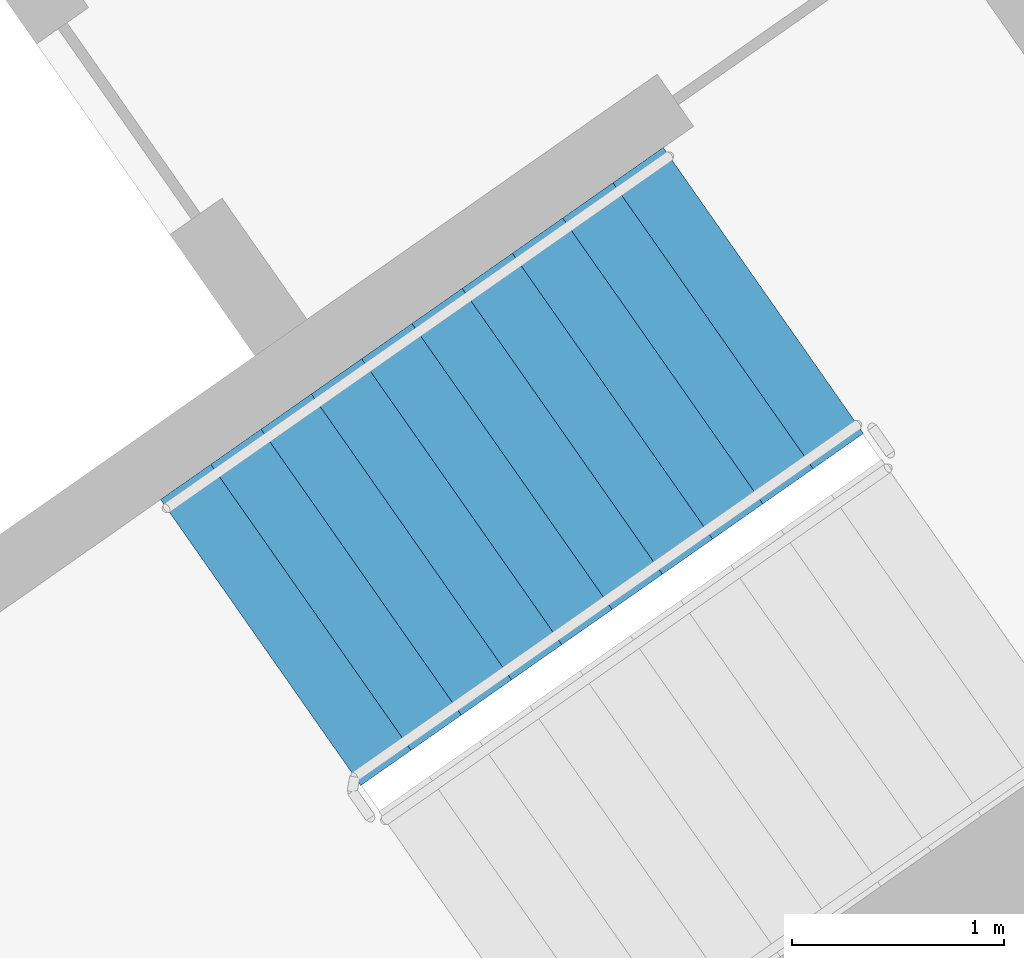
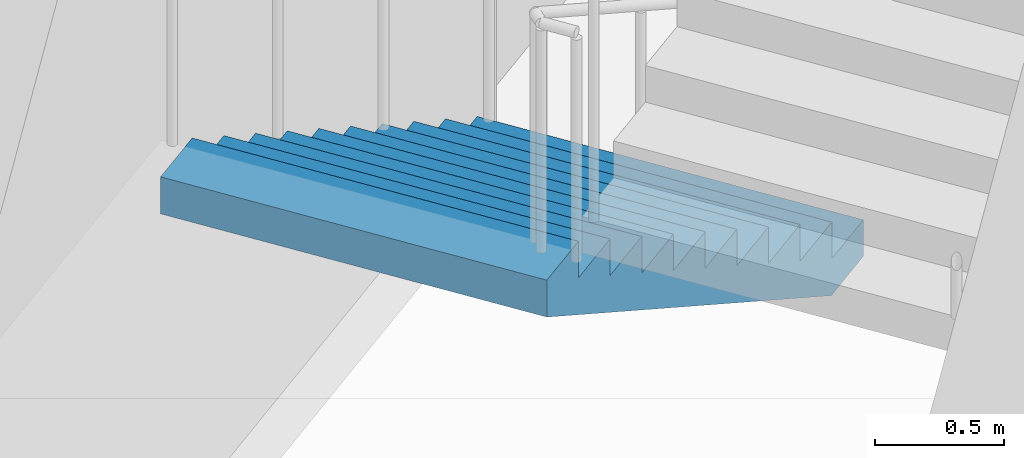
# One storey, part 15 of 28: 1 stair flight, 1 element without a shape of its own.
"""IFC4 building model written with IfcOpenShell, lengths in metres."""

from ifc_helpers import new_model, si_unit, direction, frame, origin, place, context, subcontext, project, spatial, faceted_brep, material, type_object, element, aggregate, save


model = new_model("IFC4")

# Units and contexts
model_context = context("Model", 3, precision=1e-05, world=origin(), true_north=direction((0.0, 1.0)))
body_context = subcontext(model_context, "Body", "Model", "MODEL_VIEW")
ifc_project = project(units=[si_unit("LENGTHUNIT", "METRE"), si_unit("AREAUNIT", "SQUARE_METRE"), si_unit("VOLUMEUNIT", "CUBIC_METRE"), si_unit("PLANEANGLEUNIT", "RADIAN"), si_unit("MASSUNIT", "GRAM", prefix="KILO")], contexts=[model_context])

# Site, building, storey
site_placement = place(None, origin())
site = spatial("IfcSite", under=ifc_project, at=site_placement, CompositionType="ELEMENT")
building_placement = place(site_placement, origin())
building = spatial("IfcBuilding", under=site, at=building_placement, Name="Qamariyya Broadcast Tower", CompositionType="ELEMENT")
storey_placement = place(building_placement, frame((0.0, 0.0, 140.5)))
storey = spatial("IfcBuildingStorey", under=building, at=storey_placement, Name="L32", CompositionType="ELEMENT", Elevation=140.5)

# Stair, stair flight
ifc_material = material(Name="Concrete C50/60", Category="concrete")
stair_type = type_object("IfcStairType", Name="Exit stair 22 risers of 173 mm", PredefinedType="HALF_TURN_STAIR", material=ifc_material)
stair_placement = place(storey_placement, origin())
stair = element("IfcStair", 1, at=stair_placement, inside=storey, type_object=stair_type, Name="L32 Stair E1", PredefinedType="HALF_TURN_STAIR")
stair_flight_type = type_object("IfcStairFlightType", Name="Exit stair flight 11 risers of 173 mm", PredefinedType="STRAIGHT", material=ifc_material)
stair_flight_placement = place(storey_placement, frame((46.036376953125, -55.508056640625, 0.0), z_axis=(0.0, 0.0, 1.0), x_axis=(-0.819152044289, -0.573576436351, 0.0)))
stair_flight = element("IfcStairFlight", 2, at=stair_flight_placement, type_object=stair_flight_type, Name="ST-E1 flight 1", NumberOfRisers=11, NumberOfTreads=10, PredefinedType="STRAIGHT", RiserHeight=0.172727273, TreadLength=0.29, context=body_context, shape_type="Brep", body=[
    faceted_brep([(0.0, 0.824951171875, 0.0), (0.0, 0.824951171875, 0.172607421875), (0.2900390625, 0.824951171875, 0.172607421875), (0.2900390625, 0.824951171875, 0.345458984375), (0.580078125, 0.824951171875, 0.345458984375), (0.580078125, 0.824951171875, 0.51806640625), (0.8701171875, 0.824951171875, 0.51806640625), (0.8701171875, 0.824951171875, 0.69091796875), (1.159912109375, 0.824951171875, 0.69091796875), (1.159912109375, 0.824951171875, 0.863525390625), (1.449951171875, 0.824951171875, 0.863525390625), (1.449951171875, 0.824951171875, 1.036376953125), (1.739990234375, 0.824951171875, 1.036376953125), (1.739990234375, 0.824951171875, 1.208984375), (2.030029296875, 0.824951171875, 1.208984375), (2.030029296875, 0.824951171875, 1.3818359375), (2.320068359375, 0.824951171875, 1.3818359375), (2.320068359375, 0.824951171875, 1.554443359375), (2.610107421875, 0.824951171875, 1.554443359375), (2.610107421875, 0.824951171875, 1.727294921875), (2.89990234375, 0.824951171875, 1.727294921875), (2.89990234375, 0.824951171875, 1.552734375), (0.29296875, 0.824951171875, 0.0), (0.29296875, -0.824951171875, 0.0), (2.89990234375, -0.824951171875, 1.552734375), (2.89990234375, -0.824951171875, 1.727294921875), (2.610107421875, -0.824951171875, 1.727294921875), (2.610107421875, -0.824951171875, 1.554443359375), (2.320068359375, -0.824951171875, 1.554443359375), (2.320068359375, -0.824951171875, 1.3818359375), (2.030029296875, -0.824951171875, 1.3818359375), (2.030029296875, -0.824951171875, 1.208984375), (1.739990234375, -0.824951171875, 1.208984375), (1.739990234375, -0.824951171875, 1.036376953125), (1.449951171875, -0.824951171875, 1.036376953125), (1.449951171875, -0.824951171875, 0.863525390625), (1.159912109375, -0.824951171875, 0.863525390625), (1.159912109375, -0.824951171875, 0.69091796875), (0.8701171875, -0.824951171875, 0.69091796875), (0.8701171875, -0.824951171875, 0.51806640625), (0.580078125, -0.824951171875, 0.51806640625), (0.580078125, -0.824951171875, 0.345458984375), (0.2900390625, -0.824951171875, 0.345458984375), (0.2900390625, -0.824951171875, 0.172607421875), (0.0, -0.824951171875, 0.172607421875), (0.0, -0.824951171875, 0.0), (0.0, 0.10009765625, 0.0), (0.0, 0.086669921875, 0.0), (0.0, 0.0732421875, 0.0), (0.0, 0.06005859375, 0.0), (0.0, 0.046630859375, 0.0), (0.0, 0.033447265625, 0.0), (0.0, 0.02001953125, 0.0), (0.0, 0.006591796875, 0.0), (0.0, -0.006591796875, 0.0), (0.0, -0.02001953125, 0.0), (0.0, -0.033447265625, 0.0), (0.0, -0.046630859375, 0.0), (0.0, -0.06005859375, 0.0), (0.0, -0.0732421875, 0.0), (0.0, -0.086669921875, 0.0), (0.0, -0.10009765625, 0.0), (0.0, -0.10009765625, 0.172607421875), (0.0, -0.086669921875, 0.172607421875), (0.0, -0.0732421875, 0.172607421875), (0.0, -0.06005859375, 0.172607421875), (0.0, -0.046630859375, 0.172607421875), (0.0, -0.033447265625, 0.172607421875), (0.0, -0.02001953125, 0.172607421875), (0.0, -0.006591796875, 0.172607421875), (0.0, 0.006591796875, 0.172607421875), (0.0, 0.02001953125, 0.172607421875), (0.0, 0.033447265625, 0.172607421875), (0.0, 0.046630859375, 0.172607421875), (0.0, 0.06005859375, 0.172607421875), (0.0, 0.0732421875, 0.172607421875), (0.0, 0.086669921875, 0.172607421875), (0.0, 0.10009765625, 0.172607421875), (0.2900390625, -0.10009765625, 0.172607421875), (0.2900390625, -0.086669921875, 0.172607421875), (0.2900390625, -0.0732421875, 0.172607421875), (0.2900390625, -0.06005859375, 0.172607421875), (0.2900390625, -0.046630859375, 0.172607421875), (0.2900390625, -0.033447265625, 0.172607421875), (0.2900390625, -0.02001953125, 0.172607421875), (0.2900390625, -0.006591796875, 0.172607421875), (0.2900390625, 0.006591796875, 0.172607421875), (0.2900390625, 0.02001953125, 0.172607421875), (0.2900390625, 0.033447265625, 0.172607421875), (0.2900390625, 0.046630859375, 0.172607421875), (0.2900390625, 0.06005859375, 0.172607421875), (0.2900390625, 0.0732421875, 0.172607421875), (0.2900390625, 0.086669921875, 0.172607421875), (0.2900390625, 0.10009765625, 0.172607421875), (0.2900390625, -0.10009765625, 0.345458984375), (0.2900390625, -0.086669921875, 0.345458984375), (0.2900390625, -0.0732421875, 0.345458984375), (0.2900390625, -0.06005859375, 0.345458984375), (0.2900390625, -0.046630859375, 0.345458984375), (0.2900390625, -0.033447265625, 0.345458984375), (0.2900390625, -0.02001953125, 0.345458984375), (0.2900390625, -0.006591796875, 0.345458984375), (0.2900390625, 0.006591796875, 0.345458984375), (0.2900390625, 0.02001953125, 0.345458984375), (0.2900390625, 0.033447265625, 0.345458984375), (0.2900390625, 0.046630859375, 0.345458984375), (0.2900390625, 0.06005859375, 0.345458984375), (0.2900390625, 0.0732421875, 0.345458984375), (0.2900390625, 0.086669921875, 0.345458984375), (0.2900390625, 0.10009765625, 0.345458984375), (0.580078125, -0.10009765625, 0.345458984375), (0.580078125, -0.086669921875, 0.345458984375), (0.580078125, -0.0732421875, 0.345458984375), (0.580078125, -0.06005859375, 0.345458984375), (0.580078125, -0.046630859375, 0.345458984375), (0.580078125, -0.033447265625, 0.345458984375), (0.580078125, -0.02001953125, 0.345458984375), (0.580078125, -0.006591796875, 0.345458984375), (0.580078125, 0.006591796875, 0.345458984375), (0.580078125, 0.02001953125, 0.345458984375), (0.580078125, 0.033447265625, 0.345458984375), (0.580078125, 0.046630859375, 0.345458984375), (0.580078125, 0.06005859375, 0.345458984375), (0.580078125, 0.0732421875, 0.345458984375), (0.580078125, 0.086669921875, 0.345458984375), (0.580078125, 0.10009765625, 0.345458984375), (0.580078125, -0.10009765625, 0.51806640625), (0.580078125, -0.086669921875, 0.51806640625), (0.580078125, -0.0732421875, 0.51806640625), (0.580078125, -0.06005859375, 0.51806640625), (0.580078125, -0.046630859375, 0.51806640625), (0.580078125, -0.033447265625, 0.51806640625), (0.580078125, -0.02001953125, 0.51806640625), (0.580078125, -0.006591796875, 0.51806640625), (0.580078125, 0.006591796875, 0.51806640625), (0.580078125, 0.02001953125, 0.51806640625), (0.580078125, 0.033447265625, 0.51806640625), (0.580078125, 0.046630859375, 0.51806640625), (0.580078125, 0.06005859375, 0.51806640625), (0.580078125, 0.0732421875, 0.51806640625), (0.580078125, 0.086669921875, 0.51806640625), (0.580078125, 0.10009765625, 0.51806640625), (0.8701171875, -0.10009765625, 0.51806640625), (0.8701171875, -0.086669921875, 0.51806640625), (0.8701171875, -0.0732421875, 0.51806640625), (0.8701171875, -0.06005859375, 0.51806640625), (0.8701171875, -0.046630859375, 0.51806640625), (0.8701171875, -0.033447265625, 0.51806640625), (0.8701171875, -0.02001953125, 0.51806640625), (0.8701171875, -0.006591796875, 0.51806640625), (0.8701171875, 0.006591796875, 0.51806640625), (0.8701171875, 0.02001953125, 0.51806640625), (0.8701171875, 0.033447265625, 0.51806640625), (0.8701171875, 0.046630859375, 0.51806640625), (0.8701171875, 0.06005859375, 0.51806640625), (0.8701171875, 0.0732421875, 0.51806640625), (0.8701171875, 0.086669921875, 0.51806640625), (0.8701171875, 0.10009765625, 0.51806640625), (0.8701171875, -0.10009765625, 0.69091796875), (0.8701171875, -0.086669921875, 0.69091796875), (0.8701171875, -0.0732421875, 0.69091796875), (0.8701171875, -0.06005859375, 0.69091796875), (0.8701171875, -0.046630859375, 0.69091796875), (0.8701171875, -0.033447265625, 0.69091796875), (0.8701171875, -0.02001953125, 0.69091796875), (0.8701171875, -0.006591796875, 0.69091796875), (0.8701171875, 0.006591796875, 0.69091796875), (0.8701171875, 0.02001953125, 0.69091796875), (0.8701171875, 0.033447265625, 0.69091796875), (0.8701171875, 0.046630859375, 0.69091796875), (0.8701171875, 0.06005859375, 0.69091796875), (0.8701171875, 0.0732421875, 0.69091796875), (0.8701171875, 0.086669921875, 0.69091796875), (0.8701171875, 0.10009765625, 0.69091796875), (1.159912109375, -0.10009765625, 0.69091796875), (1.159912109375, -0.086669921875, 0.69091796875), (1.159912109375, -0.0732421875, 0.69091796875), (1.159912109375, -0.06005859375, 0.69091796875), (1.159912109375, -0.046630859375, 0.69091796875), (1.159912109375, -0.033447265625, 0.69091796875), (1.159912109375, -0.02001953125, 0.69091796875), (1.159912109375, -0.006591796875, 0.69091796875), (1.159912109375, 0.006591796875, 0.69091796875), (1.159912109375, 0.02001953125, 0.69091796875), (1.159912109375, 0.033447265625, 0.69091796875), (1.159912109375, 0.046630859375, 0.69091796875), (1.159912109375, 0.06005859375, 0.69091796875), (1.159912109375, 0.0732421875, 0.69091796875), (1.159912109375, 0.086669921875, 0.69091796875), (1.159912109375, 0.10009765625, 0.69091796875), (1.159912109375, -0.10009765625, 0.863525390625), (1.159912109375, -0.086669921875, 0.863525390625), (1.159912109375, -0.0732421875, 0.863525390625), (1.159912109375, -0.06005859375, 0.863525390625), (1.159912109375, -0.046630859375, 0.863525390625), (1.159912109375, -0.033447265625, 0.863525390625), (1.159912109375, -0.02001953125, 0.863525390625), (1.159912109375, -0.006591796875, 0.863525390625), (1.159912109375, 0.006591796875, 0.863525390625), (1.159912109375, 0.02001953125, 0.863525390625), (1.159912109375, 0.033447265625, 0.863525390625), (1.159912109375, 0.046630859375, 0.863525390625), (1.159912109375, 0.06005859375, 0.863525390625), (1.159912109375, 0.0732421875, 0.863525390625), (1.159912109375, 0.086669921875, 0.863525390625), (1.159912109375, 0.10009765625, 0.863525390625), (1.449951171875, -0.10009765625, 0.863525390625), (1.449951171875, -0.086669921875, 0.863525390625), (1.449951171875, -0.0732421875, 0.863525390625), (1.449951171875, -0.06005859375, 0.863525390625), (1.449951171875, -0.046630859375, 0.863525390625), (1.449951171875, -0.033447265625, 0.863525390625), (1.449951171875, -0.02001953125, 0.863525390625), (1.449951171875, -0.006591796875, 0.863525390625), (1.449951171875, 0.006591796875, 0.863525390625), (1.449951171875, 0.02001953125, 0.863525390625), (1.449951171875, 0.033447265625, 0.863525390625), (1.449951171875, 0.046630859375, 0.863525390625), (1.449951171875, 0.06005859375, 0.863525390625), (1.449951171875, 0.0732421875, 0.863525390625), (1.449951171875, 0.086669921875, 0.863525390625), (1.449951171875, 0.10009765625, 0.863525390625), (1.449951171875, -0.10009765625, 1.036376953125), (1.449951171875, -0.086669921875, 1.036376953125), (1.449951171875, -0.0732421875, 1.036376953125), (1.449951171875, -0.06005859375, 1.036376953125), (1.449951171875, -0.046630859375, 1.036376953125), (1.449951171875, -0.033447265625, 1.036376953125), (1.449951171875, -0.02001953125, 1.036376953125), (1.449951171875, -0.006591796875, 1.036376953125), (1.449951171875, 0.006591796875, 1.036376953125), (1.449951171875, 0.02001953125, 1.036376953125), (1.449951171875, 0.033447265625, 1.036376953125), (1.449951171875, 0.046630859375, 1.036376953125), (1.449951171875, 0.06005859375, 1.036376953125), (1.449951171875, 0.0732421875, 1.036376953125), (1.449951171875, 0.086669921875, 1.036376953125), (1.449951171875, 0.10009765625, 1.036376953125), (1.739990234375, -0.10009765625, 1.036376953125), (1.739990234375, -0.086669921875, 1.036376953125), (1.739990234375, -0.0732421875, 1.036376953125), (1.739990234375, -0.06005859375, 1.036376953125), (1.739990234375, -0.046630859375, 1.036376953125), (1.739990234375, -0.033447265625, 1.036376953125), (1.739990234375, -0.02001953125, 1.036376953125), (1.739990234375, -0.006591796875, 1.036376953125), (1.739990234375, 0.006591796875, 1.036376953125), (1.739990234375, 0.02001953125, 1.036376953125), (1.739990234375, 0.033447265625, 1.036376953125), (1.739990234375, 0.046630859375, 1.036376953125), (1.739990234375, 0.06005859375, 1.036376953125), (1.739990234375, 0.0732421875, 1.036376953125), (1.739990234375, 0.086669921875, 1.036376953125), (1.739990234375, 0.10009765625, 1.036376953125), (1.739990234375, -0.10009765625, 1.208984375), (1.739990234375, -0.086669921875, 1.208984375), (1.739990234375, -0.0732421875, 1.208984375), (1.739990234375, -0.06005859375, 1.208984375), (1.739990234375, -0.046630859375, 1.208984375), (1.739990234375, -0.033447265625, 1.208984375), (1.739990234375, -0.02001953125, 1.208984375), (1.739990234375, -0.006591796875, 1.208984375), (1.739990234375, 0.006591796875, 1.208984375), (1.739990234375, 0.02001953125, 1.208984375), (1.739990234375, 0.033447265625, 1.208984375), (1.739990234375, 0.046630859375, 1.208984375), (1.739990234375, 0.06005859375, 1.208984375), (1.739990234375, 0.0732421875, 1.208984375), (1.739990234375, 0.086669921875, 1.208984375), (1.739990234375, 0.10009765625, 1.208984375), (2.030029296875, -0.10009765625, 1.208984375), (2.030029296875, -0.086669921875, 1.208984375), (2.030029296875, -0.0732421875, 1.208984375), (2.030029296875, -0.06005859375, 1.208984375), (2.030029296875, -0.046630859375, 1.208984375), (2.030029296875, -0.033447265625, 1.208984375), (2.030029296875, -0.02001953125, 1.208984375), (2.030029296875, -0.006591796875, 1.208984375), (2.030029296875, 0.006591796875, 1.208984375), (2.030029296875, 0.02001953125, 1.208984375), (2.030029296875, 0.033447265625, 1.208984375), (2.030029296875, 0.046630859375, 1.208984375), (2.030029296875, 0.06005859375, 1.208984375), (2.030029296875, 0.0732421875, 1.208984375), (2.030029296875, 0.086669921875, 1.208984375), (2.030029296875, 0.10009765625, 1.208984375), (2.030029296875, -0.10009765625, 1.3818359375), (2.030029296875, -0.086669921875, 1.3818359375), (2.030029296875, -0.0732421875, 1.3818359375), (2.030029296875, -0.06005859375, 1.3818359375), (2.030029296875, -0.046630859375, 1.3818359375), (2.030029296875, -0.033447265625, 1.3818359375), (2.030029296875, -0.02001953125, 1.3818359375), (2.030029296875, -0.006591796875, 1.3818359375), (2.030029296875, 0.006591796875, 1.3818359375), (2.030029296875, 0.02001953125, 1.3818359375), (2.030029296875, 0.033447265625, 1.3818359375), (2.030029296875, 0.046630859375, 1.3818359375), (2.030029296875, 0.06005859375, 1.3818359375), (2.030029296875, 0.0732421875, 1.3818359375), (2.030029296875, 0.086669921875, 1.3818359375), (2.030029296875, 0.10009765625, 1.3818359375), (2.320068359375, -0.10009765625, 1.3818359375), (2.320068359375, -0.086669921875, 1.3818359375), (2.320068359375, -0.0732421875, 1.3818359375), (2.320068359375, -0.06005859375, 1.3818359375), (2.320068359375, -0.046630859375, 1.3818359375), (2.320068359375, -0.033447265625, 1.3818359375), (2.320068359375, -0.02001953125, 1.3818359375), (2.320068359375, -0.006591796875, 1.3818359375), (2.320068359375, 0.006591796875, 1.3818359375), (2.320068359375, 0.02001953125, 1.3818359375), (2.320068359375, 0.033447265625, 1.3818359375), (2.320068359375, 0.046630859375, 1.3818359375), (2.320068359375, 0.06005859375, 1.3818359375), (2.320068359375, 0.0732421875, 1.3818359375), (2.320068359375, 0.086669921875, 1.3818359375), (2.320068359375, 0.10009765625, 1.3818359375), (2.320068359375, -0.10009765625, 1.554443359375), (2.320068359375, -0.086669921875, 1.554443359375), (2.320068359375, -0.0732421875, 1.554443359375), (2.320068359375, -0.06005859375, 1.554443359375), (2.320068359375, -0.046630859375, 1.554443359375), (2.320068359375, -0.033447265625, 1.554443359375), (2.320068359375, -0.02001953125, 1.554443359375), (2.320068359375, -0.006591796875, 1.554443359375), (2.320068359375, 0.006591796875, 1.554443359375), (2.320068359375, 0.02001953125, 1.554443359375), (2.320068359375, 0.033447265625, 1.554443359375), (2.320068359375, 0.046630859375, 1.554443359375), (2.320068359375, 0.06005859375, 1.554443359375), (2.320068359375, 0.0732421875, 1.554443359375), (2.320068359375, 0.086669921875, 1.554443359375), (2.320068359375, 0.10009765625, 1.554443359375), (2.610107421875, -0.10009765625, 1.554443359375), (2.610107421875, -0.086669921875, 1.554443359375), (2.610107421875, -0.0732421875, 1.554443359375), (2.610107421875, -0.06005859375, 1.554443359375), (2.610107421875, -0.046630859375, 1.554443359375), (2.610107421875, -0.033447265625, 1.554443359375), (2.610107421875, -0.02001953125, 1.554443359375), (2.610107421875, -0.006591796875, 1.554443359375), (2.610107421875, 0.006591796875, 1.554443359375), (2.610107421875, 0.02001953125, 1.554443359375), (2.610107421875, 0.033447265625, 1.554443359375), (2.610107421875, 0.046630859375, 1.554443359375), (2.610107421875, 0.06005859375, 1.554443359375), (2.610107421875, 0.0732421875, 1.554443359375), (2.610107421875, 0.086669921875, 1.554443359375), (2.610107421875, 0.10009765625, 1.554443359375), (2.610107421875, -0.10009765625, 1.727294921875), (2.610107421875, -0.086669921875, 1.727294921875), (2.610107421875, -0.0732421875, 1.727294921875), (2.610107421875, -0.06005859375, 1.727294921875), (2.610107421875, -0.046630859375, 1.727294921875), (2.610107421875, -0.033447265625, 1.727294921875), (2.610107421875, -0.02001953125, 1.727294921875), (2.610107421875, -0.006591796875, 1.727294921875), (2.610107421875, 0.006591796875, 1.727294921875), (2.610107421875, 0.02001953125, 1.727294921875), (2.610107421875, 0.033447265625, 1.727294921875), (2.610107421875, 0.046630859375, 1.727294921875), (2.610107421875, 0.06005859375, 1.727294921875), (2.610107421875, 0.0732421875, 1.727294921875), (2.610107421875, 0.086669921875, 1.727294921875), (2.610107421875, 0.10009765625, 1.727294921875), (2.89990234375, -0.10009765625, 1.727294921875), (2.89990234375, -0.086669921875, 1.727294921875), (2.89990234375, -0.0732421875, 1.727294921875), (2.89990234375, -0.06005859375, 1.727294921875), (2.89990234375, -0.046630859375, 1.727294921875), (2.89990234375, -0.033447265625, 1.727294921875), (2.89990234375, -0.02001953125, 1.727294921875), (2.89990234375, -0.006591796875, 1.727294921875), (2.89990234375, 0.006591796875, 1.727294921875), (2.89990234375, 0.02001953125, 1.727294921875), (2.89990234375, 0.033447265625, 1.727294921875), (2.89990234375, 0.046630859375, 1.727294921875), (2.89990234375, 0.06005859375, 1.727294921875), (2.89990234375, 0.0732421875, 1.727294921875), (2.89990234375, 0.086669921875, 1.727294921875), (2.89990234375, 0.10009765625, 1.727294921875), (2.89990234375, -0.10009765625, 1.552734375), (2.89990234375, -0.086669921875, 1.552734375), (2.89990234375, -0.0732421875, 1.552734375), (2.89990234375, -0.06005859375, 1.552734375), (2.89990234375, -0.046630859375, 1.552734375), (2.89990234375, -0.033447265625, 1.552734375), (2.89990234375, -0.02001953125, 1.552734375), (2.89990234375, -0.006591796875, 1.552734375), (2.89990234375, 0.006591796875, 1.552734375), (2.89990234375, 0.02001953125, 1.552734375), (2.89990234375, 0.033447265625, 1.552734375), (2.89990234375, 0.046630859375, 1.552734375), (2.89990234375, 0.06005859375, 1.552734375), (2.89990234375, 0.0732421875, 1.552734375), (2.89990234375, 0.086669921875, 1.552734375), (2.89990234375, 0.10009765625, 1.552734375), (0.29296875, -0.10009765625, 0.0), (0.29296875, -0.086669921875, 0.0), (0.29296875, -0.0732421875, 0.0), (0.29296875, -0.06005859375, 0.0), (0.29296875, -0.046630859375, 0.0), (0.29296875, -0.033447265625, 0.0), (0.29296875, -0.02001953125, 0.0), (0.29296875, -0.006591796875, 0.0), (0.29296875, 0.006591796875, 0.0), (0.29296875, 0.02001953125, 0.0), (0.29296875, 0.033447265625, 0.0), (0.29296875, 0.046630859375, 0.0), (0.29296875, 0.06005859375, 0.0), (0.29296875, 0.0732421875, 0.0), (0.29296875, 0.086669921875, 0.0), (0.29296875, 0.10009765625, 0.0)], [[[0, 1, 2, 3, 4, 5, 6, 7, 8, 9, 10, 11, 12, 13, 14, 15, 16, 17, 18, 19, 20, 21, 22]], [[23, 24, 25, 26, 27, 28, 29, 30, 31, 32, 33, 34, 35, 36, 37, 38, 39, 40, 41, 42, 43, 44, 45]], [[0, 46, 47, 48, 49, 50, 51, 52, 53, 54, 55, 56, 57, 58, 59, 60, 61, 45, 44, 62, 63, 64, 65, 66, 67, 68, 69, 70, 71, 72, 73, 74, 75, 76, 77, 1]], [[1, 77, 76, 75, 74, 73, 72, 71, 70, 69, 68, 67, 66, 65, 64, 63, 62, 44, 43, 78, 79, 80, 81, 82, 83, 84, 85, 86, 87, 88, 89, 90, 91, 92, 93, 2]], [[2, 93, 92, 91, 90, 89, 88, 87, 86, 85, 84, 83, 82, 81, 80, 79, 78, 43, 42, 94, 95, 96, 97, 98, 99, 100, 101, 102, 103, 104, 105, 106, 107, 108, 109, 3]], [[3, 109, 108, 107, 106, 105, 104, 103, 102, 101, 100, 99, 98, 97, 96, 95, 94, 42, 41, 110, 111, 112, 113, 114, 115, 116, 117, 118, 119, 120, 121, 122, 123, 124, 125, 4]], [[4, 125, 124, 123, 122, 121, 120, 119, 118, 117, 116, 115, 114, 113, 112, 111, 110, 41, 40, 126, 127, 128, 129, 130, 131, 132, 133, 134, 135, 136, 137, 138, 139, 140, 141, 5]], [[5, 141, 140, 139, 138, 137, 136, 135, 134, 133, 132, 131, 130, 129, 128, 127, 126, 40, 39, 142, 143, 144, 145, 146, 147, 148, 149, 150, 151, 152, 153, 154, 155, 156, 157, 6]], [[6, 157, 156, 155, 154, 153, 152, 151, 150, 149, 148, 147, 146, 145, 144, 143, 142, 39, 38, 158, 159, 160, 161, 162, 163, 164, 165, 166, 167, 168, 169, 170, 171, 172, 173, 7]], [[7, 173, 172, 171, 170, 169, 168, 167, 166, 165, 164, 163, 162, 161, 160, 159, 158, 38, 37, 174, 175, 176, 177, 178, 179, 180, 181, 182, 183, 184, 185, 186, 187, 188, 189, 8]], [[8, 189, 188, 187, 186, 185, 184, 183, 182, 181, 180, 179, 178, 177, 176, 175, 174, 37, 36, 190, 191, 192, 193, 194, 195, 196, 197, 198, 199, 200, 201, 202, 203, 204, 205, 9]], [[9, 205, 204, 203, 202, 201, 200, 199, 198, 197, 196, 195, 194, 193, 192, 191, 190, 36, 35, 206, 207, 208, 209, 210, 211, 212, 213, 214, 215, 216, 217, 218, 219, 220, 221, 10]], [[10, 221, 220, 219, 218, 217, 216, 215, 214, 213, 212, 211, 210, 209, 208, 207, 206, 35, 34, 222, 223, 224, 225, 226, 227, 228, 229, 230, 231, 232, 233, 234, 235, 236, 237, 11]], [[11, 237, 236, 235, 234, 233, 232, 231, 230, 229, 228, 227, 226, 225, 224, 223, 222, 34, 33, 238, 239, 240, 241, 242, 243, 244, 245, 246, 247, 248, 249, 250, 251, 252, 253, 12]], [[12, 253, 252, 251, 250, 249, 248, 247, 246, 245, 244, 243, 242, 241, 240, 239, 238, 33, 32, 254, 255, 256, 257, 258, 259, 260, 261, 262, 263, 264, 265, 266, 267, 268, 269, 13]], [[13, 269, 268, 267, 266, 265, 264, 263, 262, 261, 260, 259, 258, 257, 256, 255, 254, 32, 31, 270, 271, 272, 273, 274, 275, 276, 277, 278, 279, 280, 281, 282, 283, 284, 285, 14]], [[14, 285, 284, 283, 282, 281, 280, 279, 278, 277, 276, 275, 274, 273, 272, 271, 270, 31, 30, 286, 287, 288, 289, 290, 291, 292, 293, 294, 295, 296, 297, 298, 299, 300, 301, 15]], [[15, 301, 300, 299, 298, 297, 296, 295, 294, 293, 292, 291, 290, 289, 288, 287, 286, 30, 29, 302, 303, 304, 305, 306, 307, 308, 309, 310, 311, 312, 313, 314, 315, 316, 317, 16]], [[16, 317, 316, 315, 314, 313, 312, 311, 310, 309, 308, 307, 306, 305, 304, 303, 302, 29, 28, 318, 319, 320, 321, 322, 323, 324, 325, 326, 327, 328, 329, 330, 331, 332, 333, 17]], [[17, 333, 332, 331, 330, 329, 328, 327, 326, 325, 324, 323, 322, 321, 320, 319, 318, 28, 27, 334, 335, 336, 337, 338, 339, 340, 341, 342, 343, 344, 345, 346, 347, 348, 349, 18]], [[18, 349, 348, 347, 346, 345, 344, 343, 342, 341, 340, 339, 338, 337, 336, 335, 334, 27, 26, 350, 351, 352, 353, 354, 355, 356, 357, 358, 359, 360, 361, 362, 363, 364, 365, 19]], [[19, 365, 364, 363, 362, 361, 360, 359, 358, 357, 356, 355, 354, 353, 352, 351, 350, 26, 25, 366, 367, 368, 369, 370, 371, 372, 373, 374, 375, 376, 377, 378, 379, 380, 381, 20]], [[20, 381, 380, 379, 378, 377, 376, 375, 374, 373, 372, 371, 370, 369, 368, 367, 366, 25, 24, 382, 383, 384, 385, 386, 387, 388, 389, 390, 391, 392, 393, 394, 395, 396, 397, 21]], [[21, 397, 396, 395, 394, 393, 392, 391, 390, 389, 388, 387, 386, 385, 384, 383, 382, 24, 23, 398, 399, 400, 401, 402, 403, 404, 405, 406, 407, 408, 409, 410, 411, 412, 413, 22]], [[22, 413, 412, 411, 410, 409, 408, 407, 406, 405, 404, 403, 402, 401, 400, 399, 398, 23, 45, 61, 60, 59, 58, 57, 56, 55, 54, 53, 52, 51, 50, 49, 48, 47, 46, 0]]]),
])
aggregate(stair, [stair_flight])

save(model, "model.ifc")
